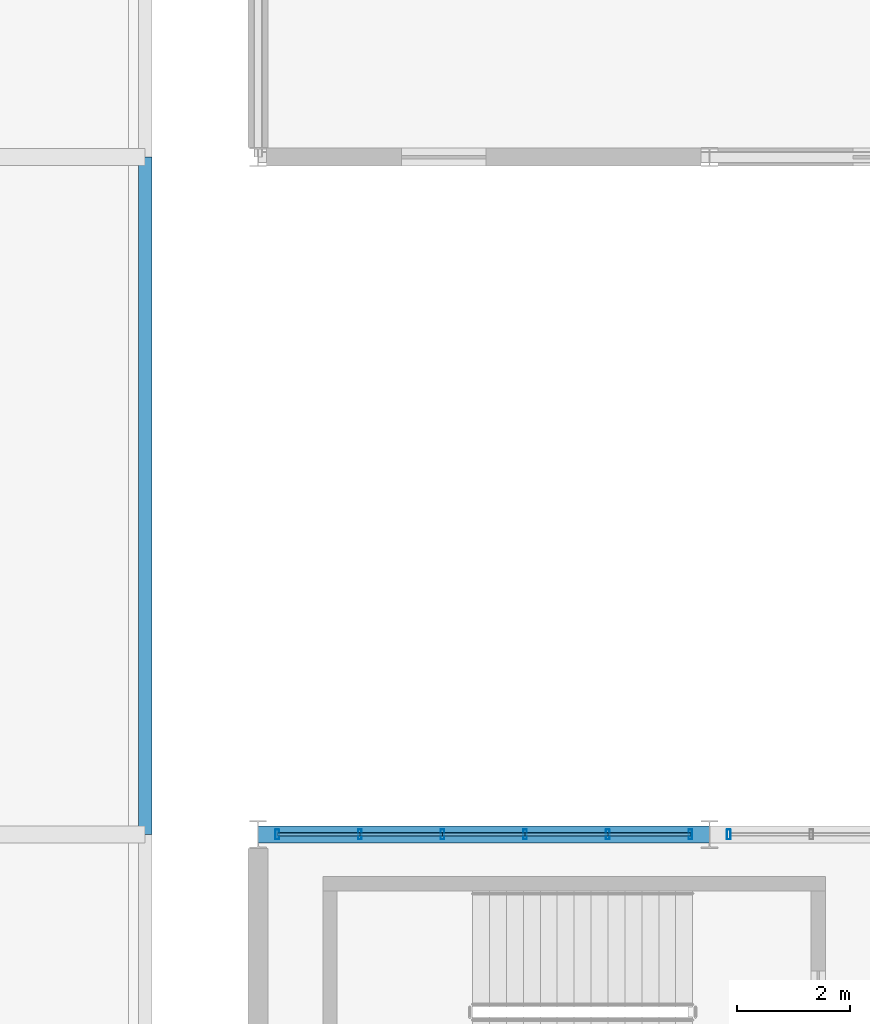
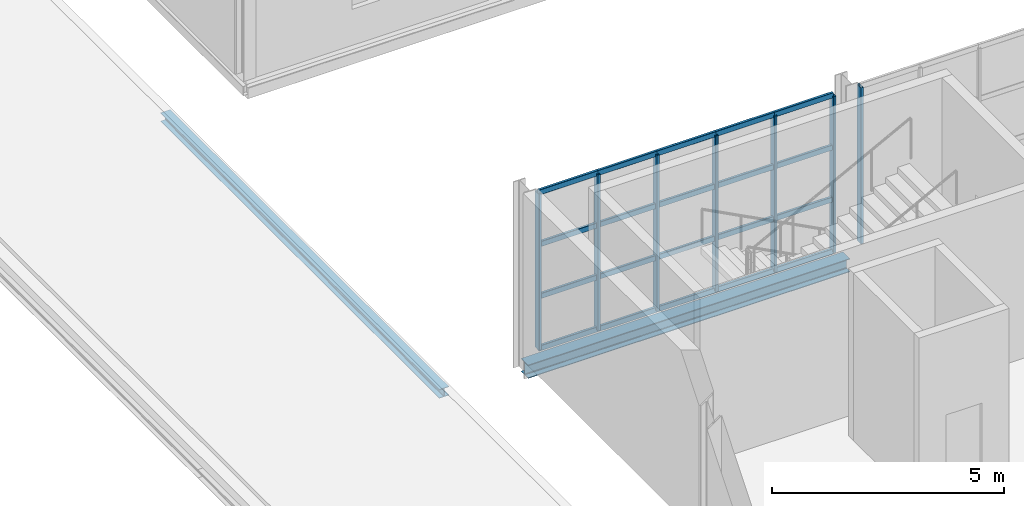
# One storey, part 77 of 153: 27 members, 2 beams, 2 elements without a shape of their own.
"""IFC4 building model written with IfcOpenShell, lengths in metres."""

from ifc_helpers import new_model, si_unit, derived_unit, direction, frame, origin, origin_2d, place, context, subcontext, project, spatial, hollow_rectangle, i_section, extrude, material, material_profile, profile_set, type_object, element, aggregate, save


model = new_model("IFC4")

# Units and contexts
model_context = context("Model", 3, precision=1e-05, world=origin(), true_north=direction((0.0, 1.0)))
body_context = subcontext(model_context, "Body", "Model", "MODEL_VIEW")
ifc_project = project(units=[si_unit("LENGTHUNIT", "METRE"), si_unit("AREAUNIT", "SQUARE_METRE"), si_unit("VOLUMEUNIT", "CUBIC_METRE"), si_unit("PLANEANGLEUNIT", "RADIAN"), si_unit("MASSUNIT", "GRAM", prefix="KILO"), derived_unit("THERMALTRANSMITTANCEUNIT", [(si_unit("POWERUNIT", "WATT"), 1), (si_unit("LENGTHUNIT", "METRE"), -2), (si_unit("THERMODYNAMICTEMPERATUREUNIT", "KELVIN"), -1)])], contexts=[model_context])

# Site, building, storey
site_placement = place(None, origin())
site = spatial("IfcSite", under=ifc_project, at=site_placement, CompositionType="ELEMENT")
building_placement = place(site_placement, origin())
building = spatial("IfcBuilding", under=site, at=building_placement, Name="Keldorne Ridge Multi-Sports Centre", CompositionType="ELEMENT")
storey_placement = place(building_placement, frame((0.0, 0.0, 9.60009765625)))
storey = spatial("IfcBuildingStorey", under=building, at=storey_placement, Name="L02", CompositionType="ELEMENT", Elevation=9.60009765625)

# Beams
ifc_material_1 = material(Name="Steel S355", Category="steel")
ifc_material_profile_1 = material_profile(ifc_material_1, i_section(OverallWidth=0.300048828125, OverallDepth=0.35009765625, WebThickness=0.010009765625, FlangeThickness=0.017578125, FilletRadius=0.027099609375, at=origin_2d()), Name="HEA 360")
ifc_profile_set_1 = profile_set([ifc_material_profile_1], Name="Steel S355")
beam_type_1 = type_object("IfcBeamType", Name="BM-SP-03", PredefinedType="SPANDREL", material=ifc_profile_set_1)
beam_1_placement = place(storey_placement, frame((104.0, 54.0, -0.4150390625), z_axis=(1.0, 0.0, 0.0), x_axis=(0.0, 1.0, 0.0)))
element("IfcBeam", 1, at=beam_1_placement, inside=storey, type_object=beam_type_1, Name="L02 Stacked Courts beam 1.13", PredefinedType="SPANDREL", context=body_context, shape_type="SweptSolid", body=[
    extrude(i_section(OverallWidth=0.300048828125, OverallDepth=0.35009765625, WebThickness=0.010009765625, FlangeThickness=0.017578125, FilletRadius=0.027099609375, at=origin_2d()), origin(), (0.0, 0.0, 1.0), 8.0),
])
ifc_material_profile_2 = material_profile(ifc_material_1, i_section(OverallWidth=0.239990234375, OverallDepth=0.22998046875, WebThickness=0.007568359375, FlangeThickness=0.011962890625, FilletRadius=0.02099609375, at=origin_2d()), Name="HEA 240")
ifc_profile_set_2 = profile_set([ifc_material_profile_2], Name="Steel S355")
beam_type_2 = type_object("IfcBeamType", Name="BM-SP-05", PredefinedType="SPANDREL", material=ifc_profile_set_2)
beam_2_placement = place(storey_placement, frame((102.0, 54.0, -0.34521484375), z_axis=(0.0, 1.0, 0.0), x_axis=(-1.0, 0.0, 0.0)))
element("IfcBeam", 2, at=beam_2_placement, inside=storey, type_object=beam_type_2, Name="L02 passage roof beam G15.7", PredefinedType="SPANDREL", context=body_context, shape_type="SweptSolid", body=[
    extrude(i_section(OverallWidth=0.239990234375, OverallDepth=0.22998046875, WebThickness=0.007568359375, FlangeThickness=0.011962890625, FilletRadius=0.02099609375, at=origin_2d()), origin(), (0.0, 0.0, 1.0), 12.0),
])

# Curtain wall, members
ifc_material_2 = material(Name="Anodized aluminium", Category="aluminium")
curtain_wall_type_1 = type_object("IfcCurtainWallType", Name="CW-CW-04", PredefinedType="NOTDEFINED", material=ifc_material_2)
curtain_wall_1_placement = place(storey_placement, origin())
curtain_wall_1 = element("IfcCurtainWall", 3, at=curtain_wall_1_placement, inside=storey, type_object=curtain_wall_type_1, Name="Upper Courts north glazing 092", PredefinedType="NOTDEFINED")
ifc_material_profile_3 = material_profile(ifc_material_2, hollow_rectangle(XDim=0.06494140625, YDim=0.179931640625, WallThickness=0.00439453125, InnerFilletRadius=0.00439453125, OuterFilletRadius=0.009033203125, at=origin_2d()), Name="ALU MULLION 180x65x4.5")
ifc_profile_set_3 = profile_set([ifc_material_profile_3], Name="Anodized aluminium")
member_type_1 = type_object("IfcMemberType", Name="MEM-ML-01", PredefinedType="MULLION", material=ifc_profile_set_3)
member_1_placement = place(storey_placement, frame((111.659912109375, 54.0, 0.0), z_axis=(0.0, 0.0, 1.0), x_axis=(1.0, 0.0, 0.0)))
member_1 = element("IfcMember", 4, at=member_1_placement, type_object=member_type_1, Name="CW-092 vertical mullion 1", PredefinedType="MULLION", context=body_context, shape_type="SweptSolid", body=[
    extrude(hollow_rectangle(XDim=0.06494140625, YDim=0.179931640625, WallThickness=0.00439453125, InnerFilletRadius=0.00439453125, OuterFilletRadius=0.009033203125, at=origin_2d()), origin(), (0.0, 0.0, 1.0), 4.099853515625),
])
member_2_placement = place(storey_placement, frame((110.196044921875, 54.0, 0.0), z_axis=(0.0, 0.0, 1.0), x_axis=(1.0, 0.0, 0.0)))
member_2 = element("IfcMember", 5, at=member_2_placement, type_object=member_type_1, Name="CW-092 vertical mullion 2", PredefinedType="MULLION", context=body_context, shape_type="SweptSolid", body=[
    extrude(hollow_rectangle(XDim=0.06494140625, YDim=0.179931640625, WallThickness=0.00439453125, InnerFilletRadius=0.00439453125, OuterFilletRadius=0.009033203125, at=origin_2d()), origin(), (0.0, 0.0, 1.0), 4.099853515625),
])
member_3_placement = place(storey_placement, frame((108.73193359375, 54.0, 0.0), z_axis=(0.0, 0.0, 1.0), x_axis=(1.0, 0.0, 0.0)))
member_3 = element("IfcMember", 6, at=member_3_placement, type_object=member_type_1, Name="CW-092 vertical mullion 3", PredefinedType="MULLION", context=body_context, shape_type="SweptSolid", body=[
    extrude(hollow_rectangle(XDim=0.06494140625, YDim=0.179931640625, WallThickness=0.00439453125, InnerFilletRadius=0.00439453125, OuterFilletRadius=0.009033203125, at=origin_2d()), origin(), (0.0, 0.0, 1.0), 4.099853515625),
])
member_4_placement = place(storey_placement, frame((107.26806640625, 54.0, 0.0), z_axis=(0.0, 0.0, 1.0), x_axis=(1.0, 0.0, 0.0)))
member_4 = element("IfcMember", 7, at=member_4_placement, type_object=member_type_1, Name="CW-092 vertical mullion 4", PredefinedType="MULLION", context=body_context, shape_type="SweptSolid", body=[
    extrude(hollow_rectangle(XDim=0.06494140625, YDim=0.179931640625, WallThickness=0.00439453125, InnerFilletRadius=0.00439453125, OuterFilletRadius=0.009033203125, at=origin_2d()), origin(), (0.0, 0.0, 1.0), 4.099853515625),
])
member_5_placement = place(storey_placement, frame((105.803955078125, 54.0, 0.0), z_axis=(0.0, 0.0, 1.0), x_axis=(1.0, 0.0, 0.0)))
member_5 = element("IfcMember", 8, at=member_5_placement, type_object=member_type_1, Name="CW-092 vertical mullion 5", PredefinedType="MULLION", context=body_context, shape_type="SweptSolid", body=[
    extrude(hollow_rectangle(XDim=0.06494140625, YDim=0.179931640625, WallThickness=0.00439453125, InnerFilletRadius=0.00439453125, OuterFilletRadius=0.009033203125, at=origin_2d()), origin(), (0.0, 0.0, 1.0), 4.099853515625),
])
member_6_placement = place(storey_placement, frame((104.340087890625, 54.0, 0.0), z_axis=(0.0, 0.0, 1.0), x_axis=(1.0, 0.0, 0.0)))
member_6 = element("IfcMember", 9, at=member_6_placement, type_object=member_type_1, Name="CW-092 vertical mullion 6", PredefinedType="MULLION", context=body_context, shape_type="SweptSolid", body=[
    extrude(hollow_rectangle(XDim=0.06494140625, YDim=0.179931640625, WallThickness=0.00439453125, InnerFilletRadius=0.00439453125, OuterFilletRadius=0.009033203125, at=origin_2d()), origin(), (0.0, 0.0, 1.0), 4.099853515625),
])

# Curtain wall, member
curtain_wall_type_2 = type_object("IfcCurtainWallType", Name="CW-CW-02", PredefinedType="NOTDEFINED", material=ifc_material_2)
curtain_wall_2_placement = place(storey_placement, origin())
curtain_wall_2 = element("IfcCurtainWall", 10, at=curtain_wall_2_placement, inside=storey, type_object=curtain_wall_type_2, Name="Upper Courts north glazing 098", PredefinedType="NOTDEFINED")
member_7_placement = place(storey_placement, frame((112.340087890625, 54.0, 0.0), z_axis=(0.0, 0.0, 1.0), x_axis=(1.0, 0.0, 0.0)))
member_7 = element("IfcMember", 11, at=member_7_placement, type_object=member_type_1, Name="CW-098 vertical mullion 6", PredefinedType="MULLION", context=body_context, shape_type="SweptSolid", body=[
    extrude(hollow_rectangle(XDim=0.06494140625, YDim=0.179931640625, WallThickness=0.00439453125, InnerFilletRadius=0.00439453125, OuterFilletRadius=0.009033203125, at=origin_2d()), origin(), (0.0, 0.0, 1.0), 4.099853515625),
])
aggregate(curtain_wall_2, [member_7])

# Member
ifc_material_profile_4 = material_profile(ifc_material_2, hollow_rectangle(XDim=0.06494140625, YDim=0.139892578125, WallThickness=0.00439453125, InnerFilletRadius=0.00439453125, OuterFilletRadius=0.009033203125, at=origin_2d()), Name="ALU TRANSOM 140x65x4.5")
ifc_profile_set_4 = profile_set([ifc_material_profile_4], Name="Anodized aluminium")
member_type_2 = type_object("IfcMemberType", Name="MEM-TR-01", PredefinedType="USERDEFINED", material=ifc_profile_set_4)
member_8_placement = place(storey_placement, frame((111.659912109375, 54.0, 0.0), z_axis=(-1.0, 0.0, 0.0), x_axis=(0.0, -1.0, 0.0)))
member_8 = element("IfcMember", 12, at=member_8_placement, type_object=member_type_2, Name="CW-092 transom 1.1", ObjectType="TRANSOM", PredefinedType="USERDEFINED", context=body_context, shape_type="SweptSolid", body=[
    extrude(hollow_rectangle(XDim=0.06494140625, YDim=0.139892578125, WallThickness=0.00439453125, InnerFilletRadius=0.00439453125, OuterFilletRadius=0.009033203125, at=origin_2d()), origin(), (0.0, 0.0, 1.0), 1.4638671875),
])

member_9_placement = place(storey_placement, frame((111.659912109375, 54.0, 1.36669921875), z_axis=(-1.0, 0.0, 0.0), x_axis=(0.0, -1.0, 0.0)))
member_9 = element("IfcMember", 13, at=member_9_placement, type_object=member_type_2, Name="CW-092 transom 1.2", ObjectType="TRANSOM", PredefinedType="USERDEFINED", context=body_context, shape_type="SweptSolid", body=[
    extrude(hollow_rectangle(XDim=0.06494140625, YDim=0.139892578125, WallThickness=0.00439453125, InnerFilletRadius=0.00439453125, OuterFilletRadius=0.009033203125, at=origin_2d()), origin(), (0.0, 0.0, 1.0), 1.4638671875),
])

member_10_placement = place(storey_placement, frame((111.659912109375, 54.0, 2.733154296875), z_axis=(-1.0, 0.0, 0.0), x_axis=(0.0, -1.0, 0.0)))
member_10 = element("IfcMember", 14, at=member_10_placement, type_object=member_type_2, Name="CW-092 transom 1.3", ObjectType="TRANSOM", PredefinedType="USERDEFINED", context=body_context, shape_type="SweptSolid", body=[
    extrude(hollow_rectangle(XDim=0.06494140625, YDim=0.139892578125, WallThickness=0.00439453125, InnerFilletRadius=0.00439453125, OuterFilletRadius=0.009033203125, at=origin_2d()), origin(), (0.0, 0.0, 1.0), 1.4638671875),
])

member_11_placement = place(storey_placement, frame((111.659912109375, 54.0, 4.099853515625), z_axis=(-1.0, 0.0, 0.0), x_axis=(0.0, -1.0, 0.0)))
member_11 = element("IfcMember", 15, at=member_11_placement, type_object=member_type_2, Name="CW-092 transom 1.4", ObjectType="TRANSOM", PredefinedType="USERDEFINED", context=body_context, shape_type="SweptSolid", body=[
    extrude(hollow_rectangle(XDim=0.06494140625, YDim=0.139892578125, WallThickness=0.00439453125, InnerFilletRadius=0.00439453125, OuterFilletRadius=0.009033203125, at=origin_2d()), origin(), (0.0, 0.0, 1.0), 1.4638671875),
])

member_12_placement = place(storey_placement, frame((110.196044921875, 54.0, 0.0), z_axis=(-1.0, 0.0, 0.0), x_axis=(0.0, -1.0, 0.0)))
member_12 = element("IfcMember", 16, at=member_12_placement, type_object=member_type_2, Name="CW-092 transom 2.1", ObjectType="TRANSOM", PredefinedType="USERDEFINED", context=body_context, shape_type="SweptSolid", body=[
    extrude(hollow_rectangle(XDim=0.06494140625, YDim=0.139892578125, WallThickness=0.00439453125, InnerFilletRadius=0.00439453125, OuterFilletRadius=0.009033203125, at=origin_2d()), origin(), (0.0, 0.0, 1.0), 1.464111328125),
])

member_13_placement = place(storey_placement, frame((110.196044921875, 54.0, 1.36669921875), z_axis=(-1.0, 0.0, 0.0), x_axis=(0.0, -1.0, 0.0)))
member_13 = element("IfcMember", 17, at=member_13_placement, type_object=member_type_2, Name="CW-092 transom 2.2", ObjectType="TRANSOM", PredefinedType="USERDEFINED", context=body_context, shape_type="SweptSolid", body=[
    extrude(hollow_rectangle(XDim=0.06494140625, YDim=0.139892578125, WallThickness=0.00439453125, InnerFilletRadius=0.00439453125, OuterFilletRadius=0.009033203125, at=origin_2d()), origin(), (0.0, 0.0, 1.0), 1.464111328125),
])

member_14_placement = place(storey_placement, frame((110.196044921875, 54.0, 2.733154296875), z_axis=(-1.0, 0.0, 0.0), x_axis=(0.0, -1.0, 0.0)))
member_14 = element("IfcMember", 18, at=member_14_placement, type_object=member_type_2, Name="CW-092 transom 2.3", ObjectType="TRANSOM", PredefinedType="USERDEFINED", context=body_context, shape_type="SweptSolid", body=[
    extrude(hollow_rectangle(XDim=0.06494140625, YDim=0.139892578125, WallThickness=0.00439453125, InnerFilletRadius=0.00439453125, OuterFilletRadius=0.009033203125, at=origin_2d()), origin(), (0.0, 0.0, 1.0), 1.464111328125),
])

member_15_placement = place(storey_placement, frame((110.196044921875, 54.0, 4.099853515625), z_axis=(-1.0, 0.0, 0.0), x_axis=(0.0, -1.0, 0.0)))
member_15 = element("IfcMember", 19, at=member_15_placement, type_object=member_type_2, Name="CW-092 transom 2.4", ObjectType="TRANSOM", PredefinedType="USERDEFINED", context=body_context, shape_type="SweptSolid", body=[
    extrude(hollow_rectangle(XDim=0.06494140625, YDim=0.139892578125, WallThickness=0.00439453125, InnerFilletRadius=0.00439453125, OuterFilletRadius=0.009033203125, at=origin_2d()), origin(), (0.0, 0.0, 1.0), 1.464111328125),
])

member_16_placement = place(storey_placement, frame((108.73193359375, 54.0, 0.0), z_axis=(-1.0, 0.0, 0.0), x_axis=(0.0, -1.0, 0.0)))
member_16 = element("IfcMember", 20, at=member_16_placement, type_object=member_type_2, Name="CW-092 transom 3.1", ObjectType="TRANSOM", PredefinedType="USERDEFINED", context=body_context, shape_type="SweptSolid", body=[
    extrude(hollow_rectangle(XDim=0.06494140625, YDim=0.139892578125, WallThickness=0.00439453125, InnerFilletRadius=0.00439453125, OuterFilletRadius=0.009033203125, at=origin_2d()), origin(), (0.0, 0.0, 1.0), 1.4638671875),
])

member_17_placement = place(storey_placement, frame((108.73193359375, 54.0, 1.36669921875), z_axis=(-1.0, 0.0, 0.0), x_axis=(0.0, -1.0, 0.0)))
member_17 = element("IfcMember", 21, at=member_17_placement, type_object=member_type_2, Name="CW-092 transom 3.2", ObjectType="TRANSOM", PredefinedType="USERDEFINED", context=body_context, shape_type="SweptSolid", body=[
    extrude(hollow_rectangle(XDim=0.06494140625, YDim=0.139892578125, WallThickness=0.00439453125, InnerFilletRadius=0.00439453125, OuterFilletRadius=0.009033203125, at=origin_2d()), origin(), (0.0, 0.0, 1.0), 1.4638671875),
])

member_18_placement = place(storey_placement, frame((108.73193359375, 54.0, 2.733154296875), z_axis=(-1.0, 0.0, 0.0), x_axis=(0.0, -1.0, 0.0)))
member_18 = element("IfcMember", 22, at=member_18_placement, type_object=member_type_2, Name="CW-092 transom 3.3", ObjectType="TRANSOM", PredefinedType="USERDEFINED", context=body_context, shape_type="SweptSolid", body=[
    extrude(hollow_rectangle(XDim=0.06494140625, YDim=0.139892578125, WallThickness=0.00439453125, InnerFilletRadius=0.00439453125, OuterFilletRadius=0.009033203125, at=origin_2d()), origin(), (0.0, 0.0, 1.0), 1.4638671875),
])

member_19_placement = place(storey_placement, frame((108.73193359375, 54.0, 4.099853515625), z_axis=(-1.0, 0.0, 0.0), x_axis=(0.0, -1.0, 0.0)))
member_19 = element("IfcMember", 23, at=member_19_placement, type_object=member_type_2, Name="CW-092 transom 3.4", ObjectType="TRANSOM", PredefinedType="USERDEFINED", context=body_context, shape_type="SweptSolid", body=[
    extrude(hollow_rectangle(XDim=0.06494140625, YDim=0.139892578125, WallThickness=0.00439453125, InnerFilletRadius=0.00439453125, OuterFilletRadius=0.009033203125, at=origin_2d()), origin(), (0.0, 0.0, 1.0), 1.4638671875),
])

member_20_placement = place(storey_placement, frame((107.26806640625, 54.0, 0.0), z_axis=(-1.0, 0.0, 0.0), x_axis=(0.0, -1.0, 0.0)))
member_20 = element("IfcMember", 24, at=member_20_placement, type_object=member_type_2, Name="CW-092 transom 4.1", ObjectType="TRANSOM", PredefinedType="USERDEFINED", context=body_context, shape_type="SweptSolid", body=[
    extrude(hollow_rectangle(XDim=0.06494140625, YDim=0.139892578125, WallThickness=0.00439453125, InnerFilletRadius=0.00439453125, OuterFilletRadius=0.009033203125, at=origin_2d()), origin(), (0.0, 0.0, 1.0), 1.464111328125),
])

member_21_placement = place(storey_placement, frame((107.26806640625, 54.0, 1.36669921875), z_axis=(-1.0, 0.0, 0.0), x_axis=(0.0, -1.0, 0.0)))
member_21 = element("IfcMember", 25, at=member_21_placement, type_object=member_type_2, Name="CW-092 transom 4.2", ObjectType="TRANSOM", PredefinedType="USERDEFINED", context=body_context, shape_type="SweptSolid", body=[
    extrude(hollow_rectangle(XDim=0.06494140625, YDim=0.139892578125, WallThickness=0.00439453125, InnerFilletRadius=0.00439453125, OuterFilletRadius=0.009033203125, at=origin_2d()), origin(), (0.0, 0.0, 1.0), 1.464111328125),
])

member_22_placement = place(storey_placement, frame((107.26806640625, 54.0, 2.733154296875), z_axis=(-1.0, 0.0, 0.0), x_axis=(0.0, -1.0, 0.0)))
member_22 = element("IfcMember", 26, at=member_22_placement, type_object=member_type_2, Name="CW-092 transom 4.3", ObjectType="TRANSOM", PredefinedType="USERDEFINED", context=body_context, shape_type="SweptSolid", body=[
    extrude(hollow_rectangle(XDim=0.06494140625, YDim=0.139892578125, WallThickness=0.00439453125, InnerFilletRadius=0.00439453125, OuterFilletRadius=0.009033203125, at=origin_2d()), origin(), (0.0, 0.0, 1.0), 1.464111328125),
])

member_23_placement = place(storey_placement, frame((107.26806640625, 54.0, 4.099853515625), z_axis=(-1.0, 0.0, 0.0), x_axis=(0.0, -1.0, 0.0)))
member_23 = element("IfcMember", 27, at=member_23_placement, type_object=member_type_2, Name="CW-092 transom 4.4", ObjectType="TRANSOM", PredefinedType="USERDEFINED", context=body_context, shape_type="SweptSolid", body=[
    extrude(hollow_rectangle(XDim=0.06494140625, YDim=0.139892578125, WallThickness=0.00439453125, InnerFilletRadius=0.00439453125, OuterFilletRadius=0.009033203125, at=origin_2d()), origin(), (0.0, 0.0, 1.0), 1.464111328125),
])

member_24_placement = place(storey_placement, frame((105.803955078125, 54.0, 0.0), z_axis=(-1.0, 0.0, 0.0), x_axis=(0.0, -1.0, 0.0)))
member_24 = element("IfcMember", 28, at=member_24_placement, type_object=member_type_2, Name="CW-092 transom 5.1", ObjectType="TRANSOM", PredefinedType="USERDEFINED", context=body_context, shape_type="SweptSolid", body=[
    extrude(hollow_rectangle(XDim=0.06494140625, YDim=0.139892578125, WallThickness=0.00439453125, InnerFilletRadius=0.00439453125, OuterFilletRadius=0.009033203125, at=origin_2d()), origin(), (0.0, 0.0, 1.0), 1.4638671875),
])

member_25_placement = place(storey_placement, frame((105.803955078125, 54.0, 1.36669921875), z_axis=(-1.0, 0.0, 0.0), x_axis=(0.0, -1.0, 0.0)))
member_25 = element("IfcMember", 29, at=member_25_placement, type_object=member_type_2, Name="CW-092 transom 5.2", ObjectType="TRANSOM", PredefinedType="USERDEFINED", context=body_context, shape_type="SweptSolid", body=[
    extrude(hollow_rectangle(XDim=0.06494140625, YDim=0.139892578125, WallThickness=0.00439453125, InnerFilletRadius=0.00439453125, OuterFilletRadius=0.009033203125, at=origin_2d()), origin(), (0.0, 0.0, 1.0), 1.4638671875),
])

member_26_placement = place(storey_placement, frame((105.803955078125, 54.0, 2.733154296875), z_axis=(-1.0, 0.0, 0.0), x_axis=(0.0, -1.0, 0.0)))
member_26 = element("IfcMember", 30, at=member_26_placement, type_object=member_type_2, Name="CW-092 transom 5.3", ObjectType="TRANSOM", PredefinedType="USERDEFINED", context=body_context, shape_type="SweptSolid", body=[
    extrude(hollow_rectangle(XDim=0.06494140625, YDim=0.139892578125, WallThickness=0.00439453125, InnerFilletRadius=0.00439453125, OuterFilletRadius=0.009033203125, at=origin_2d()), origin(), (0.0, 0.0, 1.0), 1.4638671875),
])

member_27_placement = place(storey_placement, frame((105.803955078125, 54.0, 4.099853515625), z_axis=(-1.0, 0.0, 0.0), x_axis=(0.0, -1.0, 0.0)))
member_27 = element("IfcMember", 31, at=member_27_placement, type_object=member_type_2, Name="CW-092 transom 5.4", ObjectType="TRANSOM", PredefinedType="USERDEFINED", context=body_context, shape_type="SweptSolid", body=[
    extrude(hollow_rectangle(XDim=0.06494140625, YDim=0.139892578125, WallThickness=0.00439453125, InnerFilletRadius=0.00439453125, OuterFilletRadius=0.009033203125, at=origin_2d()), origin(), (0.0, 0.0, 1.0), 1.4638671875),
])

aggregate(curtain_wall_1, [member_1, member_2, member_3, member_4, member_5, member_6, member_8, member_9, member_10, member_11, member_12, member_13, member_14, member_15, member_16, member_17, member_18, member_19, member_20, member_21, member_22, member_23, member_24, member_25, member_26, member_27])

save(model, "model.ifc")
